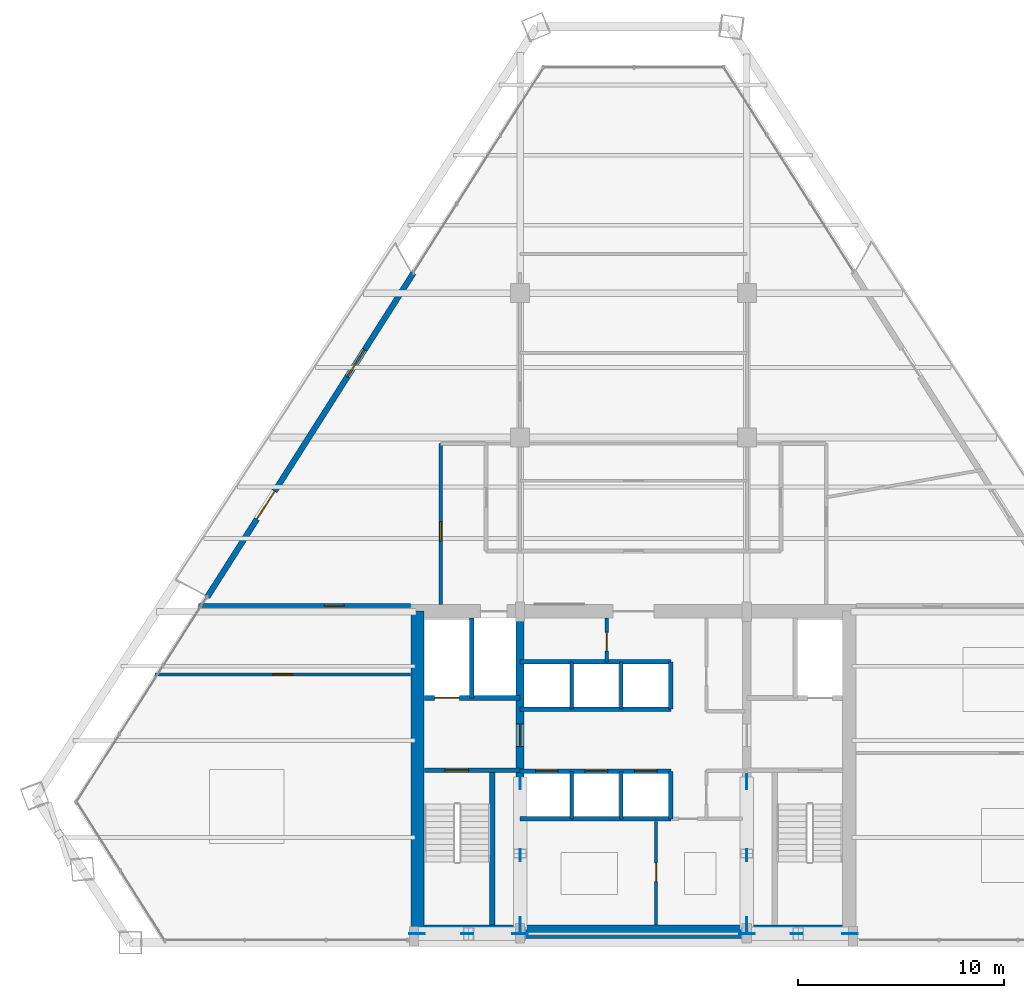
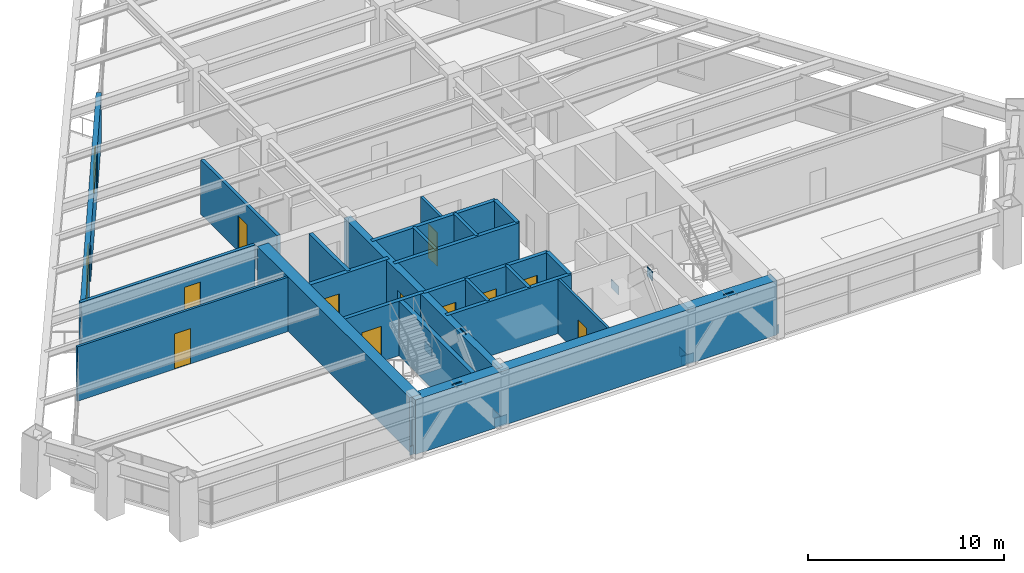
# One storey, part 11 of 15: 23 walls, 12 doors, 12 plates, 1 window, 13 openings.
"""IFC4 building model written with IfcOpenShell, lengths in metres."""

from ifc_helpers import new_model, si_unit, direction, frame, frame_2d, origin, origin_2d, place, context, subcontext, project, spatial, rectangle, extrude, source, transform, mapped, material, layer, layer_set, type_object, type_shapes, element, fill, save


model = new_model("IFC4")

# Units and contexts
model_context = context("Model", 3, precision=1e-05, world=origin(), true_north=direction((0.0, 1.0)))
body_context = subcontext(model_context, "Body", "Model", "MODEL_VIEW")
ifc_project = project(units=[si_unit("LENGTHUNIT", "METRE"), si_unit("AREAUNIT", "SQUARE_METRE"), si_unit("VOLUMEUNIT", "CUBIC_METRE"), si_unit("PLANEANGLEUNIT", "RADIAN"), si_unit("MASSUNIT", "GRAM", prefix="KILO")], contexts=[model_context])

# Site, building, storey
site_placement = place(None, origin())
site = spatial("IfcSite", under=ifc_project, at=site_placement, CompositionType="ELEMENT")
building_placement = place(site_placement, origin())
building = spatial("IfcBuilding", under=site, at=building_placement, Name="Varnakhor Terracotta Tower", CompositionType="ELEMENT")
storey_placement = place(building_placement, frame((0.0, 0.0, 162.60009765625)))
storey = spatial("IfcBuildingStorey", under=building, at=storey_placement, Name="L41", CompositionType="ELEMENT", Elevation=162.60009765625)

# Plates
ifc_material_1 = material(Name="Steel S460", Category="steel")
ifc_layer_1 = layer(ifc_material_1, 0.050048828125, Name="Steel S460")
ifc_layer_set_1 = layer_set([ifc_layer_1], Name="Steel S460")
plate_type = type_object("IfcPlateType", Name="PLT-GUSSET-50", PredefinedType="USERDEFINED", material=ifc_layer_set_1)
shared_shape_1 = source(origin(), body_context, "Body", "SweptSolid", [
    extrude(rectangle(XDim=0.75, YDim=0.0400390625, at=origin_2d()), origin(), (0.0, 0.0, 1.0), 0.550048828125),
])
type_shapes(plate_type, [shared_shape_1])
for number, where, z_axis, x_axis, name in (
    (1, (-10.5, 0.419921875, -0.09521484375), (0.0, 0.0, 1.0), (1.0, 0.0, 0.0), "L41 Core Brace Embed Plate CSWA"),
    (2, (-5.5, 0.419921875, -0.09521484375), (0.0, 0.0, 1.0), (1.0, 0.0, 0.0), "L41 Core Brace Embed Plate CSWB"),
    (3, (5.5, 0.419921875, -0.09521484375), (0.0, 0.0, 1.0), (1.0, 0.0, 0.0), "L41 Core Brace Embed Plate CSEA"),
    (4, (10.5, 0.419921875, -0.09521484375), (0.0, 0.0, 1.0), (1.0, 0.0, 0.0), "L41 Core Brace Embed Plate CSEB"),
    (5, (-5.5, 0.85009765625, -0.09521484375), (0.0, 0.0, 1.0), (0.0, 1.0, 0.0), "L41 Core Brace Embed Plate CWWA"),
    (6, (-5.5, 7.800048828125, -0.09521484375), (0.0, 0.0, 1.0), (0.0, 1.0, 0.0), "L41 Core Brace Embed Plate CWWB"),
    (7, (5.5, 0.85009765625, -0.09521484375), (0.0, 0.0, 1.0), (0.0, 1.0, 0.0), "L41 Core Brace Embed Plate CWEA"),
    (8, (5.5, 7.800048828125, -0.09521484375), (0.0, 0.0, 1.0), (0.0, 1.0, 0.0), "L41 Core Brace Embed Plate CWEB"),
):
    element("IfcPlate", number, at=place(storey_placement, frame(where, z_axis=z_axis, x_axis=x_axis)), inside=storey, type_object=plate_type, Name=name, ObjectType="GUSSET PLATE", PredefinedType="USERDEFINED", context=body_context, shape_type="MappedRepresentation", body=[
        mapped(shared_shape_1, transform((0.0, 0.0, 0.0), scale=1.0)),
    ])
shared_shape_2 = source(origin(), body_context, "Body", "SweptSolid", [
    extrude(rectangle(XDim=0.580078125, YDim=0.0400390625, at=origin_2d()), origin(), (0.0, 0.0, 1.0), 0.580078125),
])
for number, where, z_axis, x_axis, name in (
    (9, (-8.0732421875, 0.419921875, 2.86474609375), (0.0, 0.0, 1.0), (1.0, 0.0, 0.0), "L41 Brace End Connection Plate 132"),
    (10, (7.9267578125, 0.419921875, 2.86474609375), (0.0, 0.0, 1.0), (1.0, 0.0, 0.0), "L41 Brace End Connection Plate 133"),
    (11, (-5.5, 4.2373046875, 2.8779296875), (0.0, 0.0, 1.0), (0.0, 1.0, 0.0), "L41 Brace End Connection Plate 134"),
    (12, (5.5, 4.2373046875, 2.8779296875), (0.0, 0.0, 1.0), (0.0, 1.0, 0.0), "L41 Brace End Connection Plate 135"),
):
    element("IfcPlate", number, at=place(storey_placement, frame(where, z_axis=z_axis, x_axis=x_axis)), inside=storey, type_object=plate_type, Name=name, ObjectType="GUSSET PLATE", PredefinedType="USERDEFINED", context=body_context, shape_type="MappedRepresentation", body=[
        mapped(shared_shape_2, transform((0.0, 0.0, 0.0), scale=1.0)),
    ])

# Walls
ifc_material_2 = material(Name="Concrete C50/60", Category="concrete")
ifc_layer_2 = layer(ifc_material_2, 0.64990234375, Name="Concrete C50/60")
ifc_layer_set_2 = layer_set([ifc_layer_2], Name="Concrete C50/60")
wall_type_1 = type_object("IfcWallType", Name="WAL-CORE-650", PredefinedType="SHEAR", material=ifc_layer_set_2)
wall_1_placement = place(storey_placement, frame((-10.64990234375, 0.52490234375, 0.0), z_axis=(0.0, 0.0, 1.0), x_axis=(1.0, 0.0, 0.0)))
element("IfcWall", 13, at=wall_1_placement, inside=storey, type_object=wall_type_1, Name="L41 South Core Shear Wall", PredefinedType="SHEAR", context=body_context, shape_type="SweptSolid", body=[
    extrude(rectangle(XDim=21.2998046875, YDim=0.64990234375, at=frame_2d((10.64990234375, 0.0))), origin(), (0.0, 0.0, 1.0), 3.39990234375),
])
wall_2_placement = place(storey_placement, frame((-10.47509765625, 0.52490234375, 0.0), z_axis=(0.0, 0.0, 1.0), x_axis=(0.0, 1.0, 0.0)))
element("IfcWall", 14, at=wall_2_placement, inside=storey, type_object=wall_type_1, Name="L41 West Core Shear Wall", PredefinedType="SHEAR", context=body_context, shape_type="SweptSolid", body=[
    extrude(rectangle(XDim=15.550048828125, YDim=0.64990234375, at=frame_2d((7.77490234375, 0.0))), origin(), (0.0, 0.0, 1.0), 3.39990234375),
])

# Wall, opening, door
ifc_layer_3 = layer(ifc_material_2, 0.39990234375, Name="Concrete C50/60")
ifc_layer_set_3 = layer_set([ifc_layer_3], Name="Concrete C50/60")
wall_type_2 = type_object("IfcWallType", Name="WAL-CORE-WEB-400", PredefinedType="SHEAR", material=ifc_layer_set_3)
wall_3_placement = place(storey_placement, frame((-5.5, 0.52490234375, 0.0), z_axis=(0.0, 0.0, 1.0), x_axis=(0.0, 1.0, 0.0)))
wall_3 = element("IfcWall", 15, at=wall_3_placement, inside=storey, type_object=wall_type_2, Name="L41 West Core Web Shear Wall", PredefinedType="SHEAR", context=body_context, shape_type="SweptSolid", body=[
    extrude(rectangle(XDim=15.550048828125, YDim=0.39990234375, at=frame_2d((7.77490234375, 0.0))), origin(), (0.0, 0.0, 1.0), 3.39990234375),
])
opening_1_placement = place(wall_3_placement, frame((8.97509765625, 0.0, 0.0)))
opening_1 = element("IfcOpeningElement", 16, at=opening_1_placement, cuts=wall_3, Name="Opening DR-25", PredefinedType="OPENING", context=body_context, shape_type="SweptSolid", body=[
    extrude(rectangle(XDim=1.10009765625, YDim=2.199951171875, at=frame_2d((0.550048828125, 1.10009765625))), frame((0.0, 0.2099609375, 0.0), z_axis=(0.0, -1.0, 0.0), x_axis=(1.0, 0.0, 0.0)), (0.0, 0.0, 1.0), 0.419921875),
])
ifc_material_3 = material(Name="Firefighting Lobby Self-Closing Fire Door", Category="steel")
door_type_1 = type_object("IfcDoorType", Name="DR-FFL-1100X2200", OperationType="NOTDEFINED", PredefinedType="DOOR", material=ifc_material_3)
shared_shape_3 = source(origin(), body_context, "Body", "SweptSolid", [
    extrude(rectangle(XDim=1.10009765625, YDim=2.199951171875, at=frame_2d((0.550048828125, 1.10009765625))), frame((0.0, 0.02490234375, 0.0), z_axis=(0.0, -1.0, 0.0), x_axis=(1.0, 0.0, 0.0)), (0.0, 0.0, 1.0), 0.050048828125),
])
type_shapes(door_type_1, [shared_shape_3])
door_1_placement = place(opening_1_placement, origin())
door_1 = element("IfcDoor", 17, at=door_1_placement, inside=storey, type_object=door_type_1, Name="L41 West Firefighting Lobby Door", OperationType="SINGLE_SWING_LEFT", OverallHeight=2.199951171875, OverallWidth=1.10009765625, PredefinedType="DOOR", context=body_context, shape_type="MappedRepresentation", body=[
    mapped(shared_shape_3, transform((0.0, 0.0, 0.0), scale=1.0)),
])
fill(opening_1, door_1)

ifc_material_4 = material(Name="Fire-Rated Gypsum Stud Partition", Category="gypsum")
ifc_layer_4 = layer(ifc_material_4, 0.18505859375, Name="Fire-Rated Gypsum Stud Partition")
ifc_layer_set_4 = layer_set([ifc_layer_4], Name="Fire-Rated Gypsum Stud Partition")
wall_type_3 = type_object("IfcWallType", Name="WAL-CORR-185", PredefinedType="PARTITIONING", material=ifc_layer_set_4)
wall_4_placement = place(storey_placement, frame((-9.35009765625, 16.39990234375, 0.0), z_axis=(0.0, 0.0, 1.0), x_axis=(0.0, 1.0, 0.0)))
wall_4 = element("IfcWall", 18, at=wall_4_placement, inside=storey, type_object=wall_type_3, Name="L41 West Gallery Outer Wall", PredefinedType="PARTITIONING", context=body_context, shape_type="SweptSolid", body=[
    extrude(rectangle(XDim=7.800048828125, YDim=0.18505859375, at=frame_2d((3.89990234375, 0.0))), origin(), (0.0, 0.0, 1.0), 3.391845703125),
])
opening_2_placement = place(wall_4_placement, frame((3.069091796875, 0.0, 0.0)))
opening_2 = element("IfcOpeningElement", 19, at=opening_2_placement, cuts=wall_4, Name="Opening DR-94", PredefinedType="OPENING", context=body_context, shape_type="SweptSolid", body=[
    extrude(rectangle(XDim=0.949951171875, YDim=2.199951171875, at=frame_2d((0.47509765625, 1.10009765625))), frame((0.0, 0.1025390625, 0.0), z_axis=(0.0, -1.0, 0.0), x_axis=(1.0, 0.0, 0.0)), (0.0, 0.0, 1.0), 0.205078125),
])
ifc_material_5 = material(Name="Acoustic Glazed-Vision Timber Office Door", Category="wood")
door_type_2 = type_object("IfcDoorType", Name="DR-OFF-950X2200", OperationType="NOTDEFINED", PredefinedType="DOOR", material=ifc_material_5)
shared_shape_4 = source(origin(), body_context, "Body", "SweptSolid", [
    extrude(rectangle(XDim=0.949951171875, YDim=2.199951171875, at=frame_2d((0.47509765625, 1.10009765625))), frame((0.0, 0.02490234375, 0.0), z_axis=(0.0, -1.0, 0.0), x_axis=(1.0, 0.0, 0.0)), (0.0, 0.0, 1.0), 0.050048828125),
])
type_shapes(door_type_2, [shared_shape_4])
door_2_placement = place(opening_2_placement, origin())
door_2 = element("IfcDoor", 20, at=door_2_placement, inside=storey, type_object=door_type_2, Name="L41 West Wing Door", OperationType="SINGLE_SWING_RIGHT", OverallHeight=2.199951171875, OverallWidth=0.949951171875, PredefinedType="DOOR", context=body_context, shape_type="MappedRepresentation", body=[
    mapped(shared_shape_4, transform((0.0, 0.0, 0.0), scale=1.0)),
])
fill(opening_2, door_2)

wall_5_placement = place(storey_placement, frame((-21.08984375, 16.35009765625, 0.0), z_axis=(0.0, 0.0, 1.0), x_axis=(1.0, 0.0, 0.0)))
wall_5 = element("IfcWall", 21, at=wall_5_placement, inside=storey, type_object=wall_type_3, Name="L41 South West Entry Wall", PredefinedType="PARTITIONING", context=body_context, shape_type="SweptSolid", body=[
    extrude(rectangle(XDim=10.269775390625, YDim=0.18505859375, at=frame_2d((5.134765625, 0.0))), origin(), (0.0, 0.0, 1.0), 3.391845703125),
])
opening_3_placement = place(wall_5_placement, frame((6.098388671875, 0.0, 0.0)))
opening_3 = element("IfcOpeningElement", 22, at=opening_3_placement, cuts=wall_5, Name="Opening DR-94", PredefinedType="OPENING", context=body_context, shape_type="SweptSolid", body=[
    extrude(rectangle(XDim=0.949951171875, YDim=2.199951171875, at=frame_2d((0.47509765625, 1.10009765625))), frame((0.0, 0.1025390625, 0.0), z_axis=(0.0, -1.0, 0.0), x_axis=(1.0, 0.0, 0.0)), (0.0, 0.0, 1.0), 0.205078125),
])
door_3_placement = place(opening_3_placement, origin())
door_3 = element("IfcDoor", 23, at=door_3_placement, inside=storey, type_object=door_type_2, Name="L41 SW Suite Door", OperationType="SINGLE_SWING_RIGHT", OverallHeight=2.199951171875, OverallWidth=0.949951171875, PredefinedType="DOOR", context=body_context, shape_type="MappedRepresentation", body=[
    mapped(shared_shape_4, transform((0.0, 0.0, 0.0), scale=1.0)),
])
fill(opening_3, door_3)

# Wall, openings, door, window
ifc_material_6 = material(Name="Extruded Architectural Terracotta Assembly", Category="masonry")
ifc_layer_5 = layer(ifc_material_6, 0.280029296875, Name="Extruded Architectural Terracotta Assembly")
ifc_layer_set_5 = layer_set([ifc_layer_5], Name="Extruded Architectural Terracotta Assembly")
wall_type_4 = type_object("IfcWallType", Name="WAL-EXT-TERRACOTTA-280", PredefinedType="SOLIDWALL", material=ifc_layer_set_5)
wall_6_placement = place(storey_placement, frame((-20.671875, 16.764892578125, 0.0), z_axis=(0.0, 0.0, 1.0), x_axis=(0.53680257422, 0.843707885651, 0.0)))
wall_6 = element("IfcWall", 24, at=wall_6_placement, inside=storey, type_object=wall_type_4, Name="L41 W Loggia Insulated Terracotta Wall", PredefinedType="SOLIDWALL", context=body_context, shape_type="SweptSolid", body=[
    extrude(rectangle(XDim=18.632080078125, YDim=0.280029296875, at=frame_2d((9.31591796875, 0.0))), origin(), (0.0, 0.0, 1.0), 2.97998046875),
])
opening_4_placement = place(wall_6_placement, frame((4.4716796875, 0.0, 0.0)))
opening_4 = element("IfcOpeningElement", 25, at=opening_4_placement, cuts=wall_6, Name="Opening DR-62", PredefinedType="OPENING", context=body_context, shape_type="SweptSolid", body=[
    extrude(rectangle(XDim=1.60009765625, YDim=2.35009765625, at=frame_2d((0.800048828125, 1.175048828125))), frame((0.0, 0.14990234375, 0.0), z_axis=(0.0, -1.0, 0.0), x_axis=(1.0, 0.0, 0.0)), (0.0, 0.0, 1.0), 0.300048828125),
])
opening_5_placement = place(wall_6_placement, frame((12.669921875, 0.0, 0.89990234375)))
opening_5 = element("IfcOpeningElement", 26, at=opening_5_placement, cuts=wall_6, Name="Opening WN-57", PredefinedType="OPENING", context=body_context, shape_type="SweptSolid", body=[
    extrude(rectangle(XDim=1.550048828125, YDim=1.85009765625, at=frame_2d((0.77490234375, 0.925048828125))), frame((0.0, 0.14990234375, 0.0), z_axis=(0.0, -1.0, 0.0), x_axis=(1.0, 0.0, 0.0)), (0.0, 0.0, 1.0), 0.300048828125),
])
ifc_material_7 = material(Name="Thermally Broken Sliding Glass Loggia Door", Category="glass")
door_type_3 = type_object("IfcDoorType", Name="DR-EXT-LOGGIA-1600X2350", OperationType="NOTDEFINED", PredefinedType="DOOR", material=ifc_material_7)
shared_shape_5 = source(origin(), body_context, "Body", "SweptSolid", [
    extrude(rectangle(XDim=1.60009765625, YDim=2.35009765625, at=frame_2d((0.800048828125, 1.175048828125))), frame((0.0, 0.02490234375, 0.0), z_axis=(0.0, -1.0, 0.0), x_axis=(1.0, 0.0, 0.0)), (0.0, 0.0, 1.0), 0.050048828125),
])
type_shapes(door_type_3, [shared_shape_5])
door_4_placement = place(opening_4_placement, origin())
door_4 = element("IfcDoor", 27, at=door_4_placement, inside=storey, type_object=door_type_3, Name="L41 W Recessed Loggia Sliding Door", OperationType="SLIDING_TO_LEFT", OverallHeight=2.35009765625, OverallWidth=1.60009765625, PredefinedType="DOOR", context=body_context, shape_type="MappedRepresentation", body=[
    mapped(shared_shape_5, transform((0.0, 0.0, 0.0), scale=1.0)),
])
fill(opening_4, door_4)
ifc_material_8 = material(Name="Solar-Control Low-E Insulated Glass Unit", Category="glass")
window_type = type_object("IfcWindowType", Name="WIN-OFF-1650X2100", PartitioningType="SINGLE_PANEL", PredefinedType="WINDOW", material=ifc_material_8)
shared_shape_6 = source(origin(), body_context, "Body", "SweptSolid", [
    extrude(rectangle(XDim=1.550048828125, YDim=1.85009765625, at=frame_2d((0.77490234375, 0.925048828125))), frame((0.0, 0.030029296875, 0.0), z_axis=(0.0, -1.0, 0.0), x_axis=(1.0, 0.0, 0.0)), (0.0, 0.0, 1.0), 0.06005859375),
])
type_shapes(window_type, [shared_shape_6])
window_placement = place(opening_5_placement, origin())
window = element("IfcWindow", 28, at=window_placement, inside=storey, type_object=window_type, Name="L41 W Facet Punched Window", OverallHeight=1.85009765625, OverallWidth=1.550048828125, PartitioningType="SINGLE_PANEL", PredefinedType="WINDOW", context=body_context, shape_type="MappedRepresentation", body=[
    mapped(shared_shape_6, transform((0.0, 0.0, 0.0), scale=1.0)),
])
fill(opening_5, window)

# Wall, opening, door
ifc_material_9 = material(Name="Concrete C40/50", Category="concrete")
ifc_layer_6 = layer(ifc_material_9, 0.219970703125, Name="Concrete C40/50")
ifc_layer_set_6 = layer_set([ifc_layer_6], Name="Concrete C40/50")
wall_type_5 = type_object("IfcWallType", Name="WAL-FFLOBBY-220", PredefinedType="SOLIDWALL", material=ifc_layer_set_6)
wall_7_placement = place(storey_placement, frame((-5.5, 8.35009765625, 0.0), z_axis=(0.0, 0.0, 1.0), x_axis=(-1.0, 0.0, 0.0)))
wall_7 = element("IfcWall", 29, at=wall_7_placement, inside=storey, type_object=wall_type_5, Name="L41 West Firefighting Lobby Stair Wall", PredefinedType="SOLIDWALL", context=body_context, shape_type="SweptSolid", body=[
    extrude(rectangle(XDim=4.64990234375, YDim=0.219970703125, at=frame_2d((2.324951171875, 0.0))), origin(), (0.0, 0.0, 1.0), 3.39990234375),
])
opening_6_placement = place(wall_7_placement, frame((2.5, 0.0, 0.0)))
opening_6 = element("IfcOpeningElement", 30, at=opening_6_placement, cuts=wall_7, Name="Opening DR-34", PredefinedType="OPENING", context=body_context, shape_type="SweptSolid", body=[
    extrude(rectangle(XDim=1.14990234375, YDim=2.199951171875, at=frame_2d((0.574951171875, 1.10009765625))), frame((0.0, 0.1201171875, 0.0), z_axis=(0.0, -1.0, 0.0), x_axis=(1.0, 0.0, 0.0)), (0.0, 0.0, 1.0), 0.239990234375),
])
ifc_material_10 = material(Name="Self-Closing Smoke-Sealed Steel Fire Door", Category="steel")
door_type_4 = type_object("IfcDoorType", Name="DR-STAIR-1150X2200", OperationType="NOTDEFINED", PredefinedType="DOOR", material=ifc_material_10)
shared_shape_7 = source(origin(), body_context, "Body", "SweptSolid", [
    extrude(rectangle(XDim=1.14990234375, YDim=2.199951171875, at=frame_2d((0.574951171875, 1.10009765625))), frame((0.0, 0.02490234375, 0.0), z_axis=(0.0, -1.0, 0.0), x_axis=(1.0, 0.0, 0.0)), (0.0, 0.0, 1.0), 0.050048828125),
])
type_shapes(door_type_4, [shared_shape_7])
door_5_placement = place(opening_6_placement, origin())
door_5 = element("IfcDoor", 31, at=door_5_placement, inside=storey, type_object=door_type_4, Name="L41 Exit Stair ST-1 Fire Door", OperationType="SINGLE_SWING_RIGHT", OverallHeight=2.199951171875, OverallWidth=1.14990234375, PredefinedType="DOOR", context=body_context, shape_type="MappedRepresentation", body=[
    mapped(shared_shape_7, transform((0.0, 0.0, 0.0), scale=1.0)),
])
fill(opening_6, door_5)

ifc_material_11 = material(Name="Acoustic Metal-Stud Partition", Category="gypsum")
ifc_layer_7 = layer(ifc_material_11, 0.139892578125, Name="Acoustic Metal-Stud Partition")
ifc_layer_set_7 = layer_set([ifc_layer_7], Name="Acoustic Metal-Stud Partition")
wall_type_6 = type_object("IfcWallType", Name="WAL-PART-140", PredefinedType="PARTITIONING", material=ifc_layer_set_7)
wall_8_placement = place(storey_placement, frame((-23.22119140625, 13.0, 0.0), z_axis=(0.0, 0.0, 1.0), x_axis=(1.0, 0.0, 0.0)))
wall_8 = element("IfcWall", 32, at=wall_8_placement, inside=storey, type_object=wall_type_6, Name="L41 West Wing Cut 1", PredefinedType="PARTITIONING", context=body_context, shape_type="SweptSolid", body=[
    extrude(rectangle(XDim=12.401123046875, YDim=0.139892578125, at=frame_2d((6.20068359375, 0.0))), origin(), (0.0, 0.0, 1.0), 3.391845703125),
])
opening_7_placement = place(wall_8_placement, frame((5.7333984375, 0.0, 0.0)))
opening_7 = element("IfcOpeningElement", 33, at=opening_7_placement, cuts=wall_8, Name="Opening DR-94", PredefinedType="OPENING", context=body_context, shape_type="SweptSolid", body=[
    extrude(rectangle(XDim=0.949951171875, YDim=2.199951171875, at=frame_2d((0.47509765625, 1.10009765625))), frame((0.0, 0.080078125, 0.0), z_axis=(0.0, -1.0, 0.0), x_axis=(1.0, 0.0, 0.0)), (0.0, 0.0, 1.0), 0.159912109375),
])
door_6_placement = place(opening_7_placement, origin())
door_6 = element("IfcDoor", 34, at=door_6_placement, inside=storey, type_object=door_type_2, Name="L41 Clinic First Aid Room Door", OperationType="SINGLE_SWING_LEFT", OverallHeight=2.199951171875, OverallWidth=0.949951171875, PredefinedType="DOOR", context=body_context, shape_type="MappedRepresentation", body=[
    mapped(shared_shape_4, transform((0.0, 0.0, 0.0), scale=1.0)),
])
fill(opening_7, door_6)

# Walls
ifc_layer_8 = layer(ifc_material_9, 0.179931640625, Name="Concrete C40/50")
ifc_layer_set_8 = layer_set([ifc_layer_8], Name="Concrete C40/50")
wall_type_7 = type_object("IfcWallType", Name="WAL-SHAFT-180", PredefinedType="SOLIDWALL", material=ifc_layer_set_8)
for number, where, z_axis, x_axis, name in (
    (35, (-3.0, 6.0, 0.0), (0.0, 0.0, 1.0), (0.0, 1.0, 0.0), "L41 PL-2A Divider"),
    (36, (-0.60009765625, 6.0, 0.0), (0.0, 0.0, 1.0), (0.0, 1.0, 0.0), "L41 PL-2B Divider"),
    (37, (-3.0, 11.320068359375, 0.0), (0.0, 0.0, 1.0), (0.0, 1.0, 0.0), "L41 PL-3A Divider"),
    (38, (-0.60009765625, 11.320068359375, 0.0), (0.0, 0.0, 1.0), (0.0, 1.0, 0.0), "L41 PL-3B Divider"),
):
    element("IfcWall", number, at=place(storey_placement, frame(where, z_axis=z_axis, x_axis=x_axis)), inside=storey, type_object=wall_type_7, Name=name, PredefinedType="SOLIDWALL", context=body_context, shape_type="SweptSolid", body=[
        extrude(rectangle(XDim=2.300048828125, YDim=0.179931640625, at=frame_2d((1.14990234375, 0.0))), origin(), (0.0, 0.0, 1.0), 3.39990234375),
    ])
ifc_layer_9 = layer(ifc_material_9, 0.219970703125, Name="Concrete C40/50")
ifc_layer_set_9 = layer_set([ifc_layer_9], Name="Concrete C40/50")
wall_type_8 = type_object("IfcWallType", Name="WAL-SHAFT-220", PredefinedType="SOLIDWALL", material=ifc_layer_set_9)
wall_9_placement = place(storey_placement, frame((-7.840087890625, 11.8701171875, 0.0), z_axis=(0.0, 0.0, 1.0), x_axis=(0.0, 1.0, 0.0)))
element("IfcWall", 39, at=wall_9_placement, inside=storey, type_object=wall_type_8, Name="L41 Lift FFL-1 and SVL-1 Divider Wall", PredefinedType="SOLIDWALL", context=body_context, shape_type="SweptSolid", body=[
    extrude(rectangle(XDim=3.8798828125, YDim=0.219970703125, at=frame_2d((1.93994140625, 0.0))), origin(), (0.0, 0.0, 1.0), 3.39990234375),
])
wall_10_placement = place(storey_placement, frame((-5.5, 6.0, 0.0), z_axis=(0.0, 0.0, 1.0), x_axis=(1.0, 0.0, 0.0)))
element("IfcWall", 40, at=wall_10_placement, inside=storey, type_object=wall_type_8, Name="L41 Bank 2 South Shaft Wall", PredefinedType="SOLIDWALL", context=body_context, shape_type="SweptSolid", body=[
    extrude(rectangle(XDim=7.320068359375, YDim=0.219970703125, at=frame_2d((3.66015625, 0.0))), origin(), (0.0, 0.0, 1.0), 3.39990234375),
])

# Wall, openings, doors
wall_11_placement = place(storey_placement, frame((-5.5, 8.300048828125, 0.0), z_axis=(0.0, 0.0, 1.0), x_axis=(1.0, 0.0, 0.0)))
wall_11 = element("IfcWall", 41, at=wall_11_placement, inside=storey, type_object=wall_type_8, Name="L41 Bank 2 North Shaft Wall", PredefinedType="SOLIDWALL", context=body_context, shape_type="SweptSolid", body=[
    extrude(rectangle(XDim=7.320068359375, YDim=0.219970703125, at=frame_2d((3.66015625, 0.0))), origin(), (0.0, 0.0, 1.0), 3.39990234375),
])
opening_8_placement = place(wall_11_placement, frame((0.75, 0.0, 0.0)))
opening_8 = element("IfcOpeningElement", 42, at=opening_8_placement, cuts=wall_11, Name="Opening LD-01", PredefinedType="OPENING", context=body_context, shape_type="SweptSolid", body=[
    extrude(rectangle(XDim=1.10009765625, YDim=2.199951171875, at=frame_2d((0.550048828125, 1.10009765625))), frame((0.0, 0.1201171875, 0.0), z_axis=(0.0, -1.0, 0.0), x_axis=(1.0, 0.0, 0.0)), (0.0, 0.0, 1.0), 0.239990234375),
])
opening_9_placement = place(wall_11_placement, frame((3.14990234375, 0.0, 0.0)))
opening_9 = element("IfcOpeningElement", 43, at=opening_9_placement, cuts=wall_11, Name="Opening LD-01", PredefinedType="OPENING", context=body_context, shape_type="SweptSolid", body=[
    extrude(rectangle(XDim=1.10009765625, YDim=2.199951171875, at=frame_2d((0.550048828125, 1.10009765625))), frame((0.0, 0.1201171875, 0.0), z_axis=(0.0, -1.0, 0.0), x_axis=(1.0, 0.0, 0.0)), (0.0, 0.0, 1.0), 0.239990234375),
])
opening_10_placement = place(wall_11_placement, frame((5.550048828125, 0.0, 0.0)))
opening_10 = element("IfcOpeningElement", 44, at=opening_10_placement, cuts=wall_11, Name="Opening LD-01", PredefinedType="OPENING", context=body_context, shape_type="SweptSolid", body=[
    extrude(rectangle(XDim=1.10009765625, YDim=2.199951171875, at=frame_2d((0.550048828125, 1.10009765625))), frame((0.0, 0.1201171875, 0.0), z_axis=(0.0, -1.0, 0.0), x_axis=(1.0, 0.0, 0.0)), (0.0, 0.0, 1.0), 0.239990234375),
])
ifc_material_12 = material(Name="Brushed Stainless Steel Sliding Lift Landing Door", Category="steel")
door_type_5 = type_object("IfcDoorType", Name="LD-PASS-1100X2200", OperationType="NOTDEFINED", PredefinedType="DOOR", material=ifc_material_12)
shared_shape_8 = source(origin(), body_context, "Body", "SweptSolid", [
    extrude(rectangle(XDim=1.10009765625, YDim=2.199951171875, at=frame_2d((0.550048828125, 1.10009765625))), frame((0.0, 0.02490234375, 0.0), z_axis=(0.0, -1.0, 0.0), x_axis=(1.0, 0.0, 0.0)), (0.0, 0.0, 1.0), 0.050048828125),
])
type_shapes(door_type_5, [shared_shape_8])
door_7_placement = place(opening_8_placement, origin())
door_7 = element("IfcDoor", 45, at=door_7_placement, inside=storey, type_object=door_type_5, Name="L41 Passenger Lift PL-2A Landing Door", OperationType="SLIDING_TO_LEFT", OverallHeight=2.199951171875, OverallWidth=1.10009765625, PredefinedType="DOOR", context=body_context, shape_type="MappedRepresentation", body=[
    mapped(shared_shape_8, transform((0.0, 0.0, 0.0), scale=1.0)),
])
fill(opening_8, door_7)
door_8_placement = place(opening_9_placement, origin())
door_8 = element("IfcDoor", 46, at=door_8_placement, inside=storey, type_object=door_type_5, Name="L41 Passenger Lift PL-2B Landing Door", OperationType="SLIDING_TO_LEFT", OverallHeight=2.199951171875, OverallWidth=1.10009765625, PredefinedType="DOOR", context=body_context, shape_type="MappedRepresentation", body=[
    mapped(shared_shape_8, transform((0.0, 0.0, 0.0), scale=1.0)),
])
fill(opening_9, door_8)
door_9_placement = place(opening_10_placement, origin())
door_9 = element("IfcDoor", 47, at=door_9_placement, inside=storey, type_object=door_type_5, Name="L41 Passenger Lift PL-2C Landing Door", OperationType="SLIDING_TO_LEFT", OverallHeight=2.199951171875, OverallWidth=1.10009765625, PredefinedType="DOOR", context=body_context, shape_type="MappedRepresentation", body=[
    mapped(shared_shape_8, transform((0.0, 0.0, 0.0), scale=1.0)),
])
fill(opening_10, door_9)

# Walls
wall_12_placement = place(storey_placement, frame((1.800048828125, 6.0, 0.0), z_axis=(0.0, 0.0, 1.0), x_axis=(0.0, 1.0, 0.0)))
element("IfcWall", 48, at=wall_12_placement, inside=storey, type_object=wall_type_8, Name="L41 Bank 2 East Shaft Wall", PredefinedType="SOLIDWALL", context=body_context, shape_type="SweptSolid", body=[
    extrude(rectangle(XDim=2.300048828125, YDim=0.219970703125, at=frame_2d((1.14990234375, 0.0))), origin(), (0.0, 0.0, 1.0), 3.39990234375),
])
for number, where, z_axis, x_axis, name in (
    (49, (-5.5, 11.320068359375, 0.0), (0.0, 0.0, 1.0), (1.0, 0.0, 0.0), "L41 Bank 3 South Shaft Wall"),
    (50, (-5.5, 13.6201171875, 0.0), (0.0, 0.0, 1.0), (1.0, 0.0, 0.0), "L41 Bank 3 North Shaft Wall"),
):
    element("IfcWall", number, at=place(storey_placement, frame(where, z_axis=z_axis, x_axis=x_axis)), inside=storey, type_object=wall_type_8, Name=name, PredefinedType="SOLIDWALL", context=body_context, shape_type="SweptSolid", body=[
        extrude(rectangle(XDim=7.320068359375, YDim=0.219970703125, at=frame_2d((3.66015625, 0.0))), origin(), (0.0, 0.0, 1.0), 3.39990234375),
    ])
wall_13_placement = place(storey_placement, frame((1.800048828125, 11.320068359375, 0.0), z_axis=(0.0, 0.0, 1.0), x_axis=(0.0, 1.0, 0.0)))
element("IfcWall", 51, at=wall_13_placement, inside=storey, type_object=wall_type_8, Name="L41 Bank 3 East Shaft Wall", PredefinedType="SOLIDWALL", context=body_context, shape_type="SweptSolid", body=[
    extrude(rectangle(XDim=2.300048828125, YDim=0.219970703125, at=frame_2d((1.14990234375, 0.0))), origin(), (0.0, 0.0, 1.0), 3.39990234375),
])
ifc_layer_10 = layer(ifc_material_9, 0.25, Name="Concrete C40/50")
ifc_layer_set_10 = layer_set([ifc_layer_10], Name="Concrete C40/50")
wall_type_9 = type_object("IfcWallType", Name="WAL-SHAFT-250", PredefinedType="SOLIDWALL", material=ifc_layer_set_10)
wall_14_placement = place(storey_placement, frame((-6.85009765625, 0.85009765625, 0.0), z_axis=(0.0, 0.0, 1.0), x_axis=(0.0, 1.0, 0.0)))
element("IfcWall", 52, at=wall_14_placement, inside=storey, type_object=wall_type_9, Name="L41 Stair ST-1 Bearing Shaft Wall", PredefinedType="SOLIDWALL", context=body_context, shape_type="SweptSolid", body=[
    extrude(rectangle(XDim=7.5, YDim=0.25, at=frame_2d((3.75, 0.0))), origin(), (0.0, 0.0, 1.0), 3.39990234375),
])

# Wall, opening, door
wall_15_placement = place(storey_placement, frame((-5.5, 11.8701171875, 0.0), z_axis=(0.0, 0.0, 1.0), x_axis=(-1.0, 0.0, 0.0)))
wall_15 = element("IfcWall", 53, at=wall_15_placement, inside=storey, type_object=wall_type_9, Name="L41 Lift FFL-1 Shaft Front Wall", PredefinedType="SOLIDWALL", context=body_context, shape_type="SweptSolid", body=[
    extrude(rectangle(XDim=4.64990234375, YDim=0.25, at=frame_2d((2.324951171875, 0.0))), origin(), (0.0, 0.0, 1.0), 3.39990234375),
])
opening_11_placement = place(wall_15_placement, frame((2.949951171875, 0.0, 0.0)))
opening_11 = element("IfcOpeningElement", 54, at=opening_11_placement, cuts=wall_15, Name="Opening LD-02", PredefinedType="OPENING", context=body_context, shape_type="SweptSolid", body=[
    extrude(rectangle(XDim=1.199951171875, YDim=2.25, at=frame_2d((0.60009765625, 1.125))), frame((0.0, 0.135009765625, 0.0), z_axis=(0.0, -1.0, 0.0), x_axis=(1.0, 0.0, 0.0)), (0.0, 0.0, 1.0), 0.27001953125),
])
ifc_material_13 = material(Name="Firefighting Stretcher Sliding Lift Landing Door", Category="steel")
door_type_6 = type_object("IfcDoorType", Name="LD-FFL-1200X2250", OperationType="NOTDEFINED", PredefinedType="DOOR", material=ifc_material_13)
shared_shape_9 = source(origin(), body_context, "Body", "SweptSolid", [
    extrude(rectangle(XDim=1.199951171875, YDim=2.25, at=frame_2d((0.60009765625, 1.125))), frame((0.0, 0.02490234375, 0.0), z_axis=(0.0, -1.0, 0.0), x_axis=(1.0, 0.0, 0.0)), (0.0, 0.0, 1.0), 0.050048828125),
])
type_shapes(door_type_6, [shared_shape_9])
door_10_placement = place(opening_11_placement, origin())
door_10 = element("IfcDoor", 55, at=door_10_placement, inside=storey, type_object=door_type_6, Name="L41 Firefighting Lift FFL-1 Landing Door", OperationType="SLIDING_TO_LEFT", OverallHeight=2.25, OverallWidth=1.199951171875, PredefinedType="DOOR", context=body_context, shape_type="MappedRepresentation", body=[
    mapped(shared_shape_9, transform((0.0, 0.0, 0.0), scale=1.0)),
])
fill(opening_11, door_10)

ifc_material_14 = material(Name="Acoustic Fire-Rated Partition", Category="gypsum")
ifc_layer_11 = layer(ifc_material_14, 0.139892578125, Name="Acoustic Fire-Rated Partition")
ifc_layer_set_11 = layer_set([ifc_layer_11], Name="Acoustic Fire-Rated Partition")
wall_type_10 = type_object("IfcWallType", Name="WAL-TENANCY-140", PredefinedType="PARTITIONING", material=ifc_layer_set_11)
wall_16_placement = place(storey_placement, frame((1.10009765625, 0.85009765625, 0.0), z_axis=(0.0, 0.0, 1.0), x_axis=(0.0, 1.0, 0.0)))
wall_16 = element("IfcWall", 56, at=wall_16_placement, inside=storey, type_object=wall_type_10, Name="L41 Reclaimed Core Bay Split Wall", PredefinedType="PARTITIONING", context=body_context, shape_type="SweptSolid", body=[
    extrude(rectangle(XDim=5.02978515625, YDim=0.139892578125, at=frame_2d((2.514892578125, 0.0))), origin(), (0.0, 0.0, 1.0), 3.391845703125),
])
opening_12_placement = place(wall_16_placement, frame((2.10009765625, 0.0, 0.0)))
opening_12 = element("IfcOpeningElement", 57, at=opening_12_placement, cuts=wall_16, Name="Opening DR-67", PredefinedType="OPENING", context=body_context, shape_type="SweptSolid", body=[
    extrude(rectangle(XDim=0.89990234375, YDim=2.10009765625, at=frame_2d((0.449951171875, 1.050048828125))), frame((0.0, 0.080078125, 0.0), z_axis=(0.0, -1.0, 0.0), x_axis=(1.0, 0.0, 0.0)), (0.0, 0.0, 1.0), 0.159912109375),
])
ifc_material_15 = material(Name="Steel Service Riser Fire Door", Category="steel")
door_type_7 = type_object("IfcDoorType", Name="DR-RISER-900X2100", OperationType="NOTDEFINED", PredefinedType="DOOR", material=ifc_material_15)
shared_shape_10 = source(origin(), body_context, "Body", "SweptSolid", [
    extrude(rectangle(XDim=0.89990234375, YDim=2.10009765625, at=frame_2d((0.449951171875, 1.050048828125))), frame((0.0, 0.02490234375, 0.0), z_axis=(0.0, -1.0, 0.0), x_axis=(1.0, 0.0, 0.0)), (0.0, 0.0, 1.0), 0.050048828125),
])
type_shapes(door_type_7, [shared_shape_10])
door_11_placement = place(opening_12_placement, origin())
door_11 = element("IfcDoor", 58, at=door_11_placement, inside=storey, type_object=door_type_7, Name="L41 Core Inner Service Door", OperationType="SINGLE_SWING_LEFT", OverallHeight=2.10009765625, OverallWidth=0.89990234375, PredefinedType="DOOR", context=body_context, shape_type="MappedRepresentation", body=[
    mapped(shared_shape_10, transform((0.0, 0.0, 0.0), scale=1.0)),
])
fill(opening_12, door_11)

ifc_layer_12 = layer(ifc_material_14, 0.1650390625, Name="Acoustic Fire-Rated Partition")
ifc_layer_set_12 = layer_set([ifc_layer_12], Name="Acoustic Fire-Rated Partition")
wall_type_11 = type_object("IfcWallType", Name="WAL-TENANCY-165", PredefinedType="PARTITIONING", material=ifc_layer_set_12)
wall_17_placement = place(storey_placement, frame((-1.300048828125, 13.60009765625, 0.0), z_axis=(0.0, 0.0, 1.0), x_axis=(0.0, 1.0, 0.0)))
wall_17 = element("IfcWall", 59, at=wall_17_placement, inside=storey, type_object=wall_type_11, Name="L41 Male Restroom Wall", PredefinedType="PARTITIONING", context=body_context, shape_type="SweptSolid", body=[
    extrude(rectangle(XDim=2.14990234375, YDim=0.1650390625, at=frame_2d((1.074951171875, 0.0))), origin(), (0.0, 0.0, 1.0), 3.391845703125),
])
opening_13_placement = place(wall_17_placement, frame((0.550048828125, 0.0, 0.0)))
opening_13 = element("IfcOpeningElement", 60, at=opening_13_placement, cuts=wall_17, Name="Opening DR-67", PredefinedType="OPENING", context=body_context, shape_type="SweptSolid", body=[
    extrude(rectangle(XDim=0.89990234375, YDim=2.10009765625, at=frame_2d((0.449951171875, 1.050048828125))), frame((0.0, 0.092529296875, 0.0), z_axis=(0.0, -1.0, 0.0), x_axis=(1.0, 0.0, 0.0)), (0.0, 0.0, 1.0), 0.18505859375),
])
door_12_placement = place(opening_13_placement, origin())
door_12 = element("IfcDoor", 61, at=door_12_placement, inside=storey, type_object=door_type_7, Name="L41 Male WC Door", OperationType="SINGLE_SWING_LEFT", OverallHeight=2.10009765625, OverallWidth=0.89990234375, PredefinedType="DOOR", context=body_context, shape_type="MappedRepresentation", body=[
    mapped(shared_shape_10, transform((0.0, 0.0, 0.0), scale=1.0)),
])
fill(opening_13, door_12)

save(model, "model.ifc")
